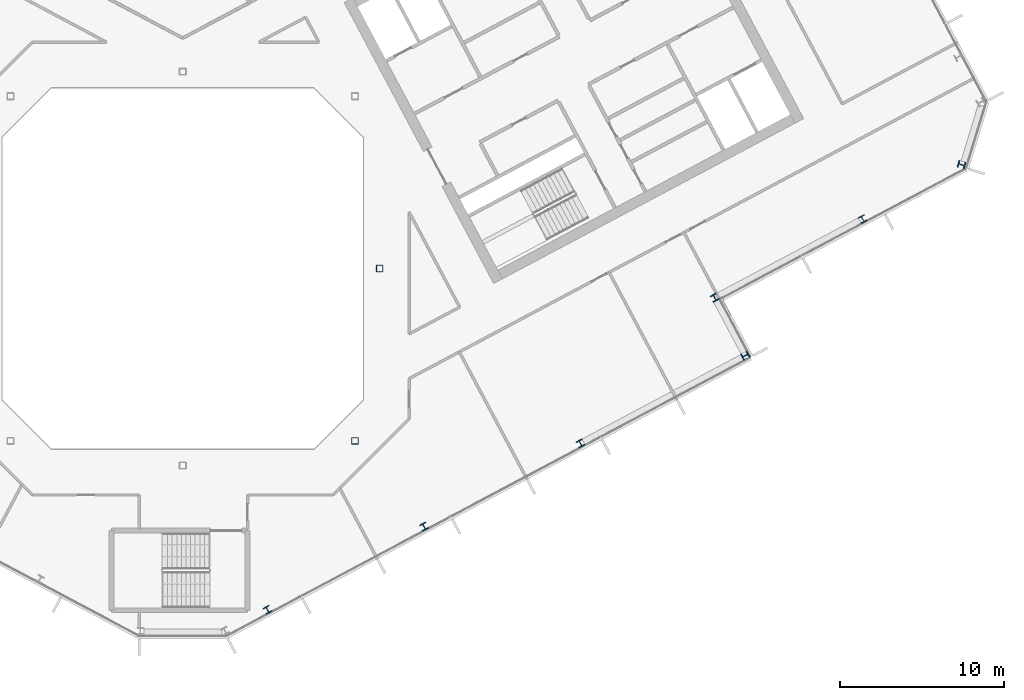
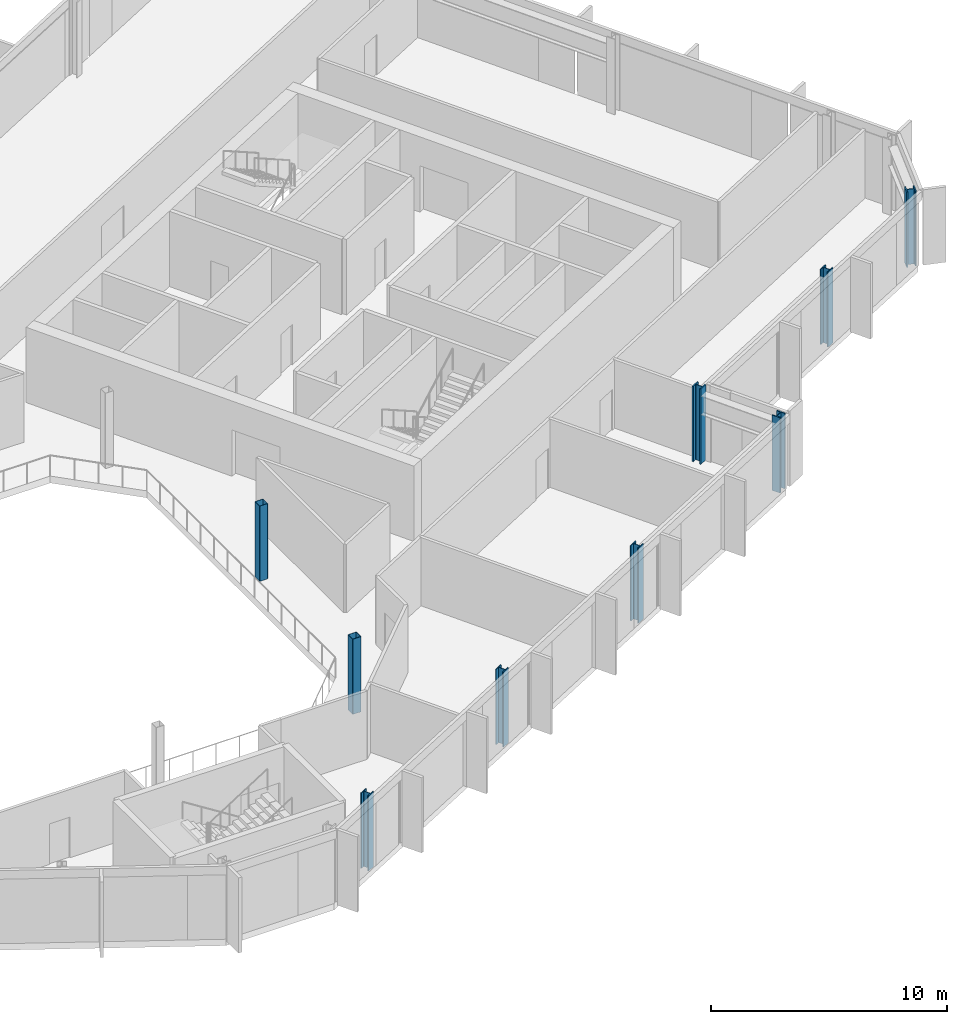
# One storey, part 5 of 27: 9 columns.
"""IFC4 building model written with IfcOpenShell, lengths in metres."""

import ifcopenshell
import ifcopenshell.guid

model = None  # the IFC model being written
_history = None  # IfcOwnerHistory: only IFC2X3 demands one
_inside = {}  # id of a spatial element -> (the spatial element, [elements in it])
_under = {}  # id of a project, library or spatial element -> (it, [spatial elements below it])
_declared = {}  # id of a project -> (the project, [libraries it declares])
_typed = {}  # id of a type object -> (the type object, [elements of that type])
_made_of = {}  # id of a material, layer set ... -> (it, [elements and type objects made of it])


def new_model(schema):
    """Start an empty IFC model of exactly this schema.

    Asked for "IFC4X3", IfcOpenShell would pick the latest addendum, in which some entities
    have other attributes; the version numbers below select the first issue.
    IFC2X3 requires an IfcOwnerHistory on every rooted entity: one is made here for all.
    """
    global model, _history
    if schema == "IFC4X3":
        model = ifcopenshell.file(schema_version=(4, 3, 0, 0))
    else:
        model = ifcopenshell.file(schema=schema)
    _inside.clear()
    _under.clear()
    _declared.clear()
    _typed.clear()
    _made_of.clear()
    _history = None
    if model.schema == "IFC2X3":
        org = make("IfcOrganization", Name="unknown")
        user = make(
            "IfcPersonAndOrganization",
            ThePerson=make("IfcPerson", FamilyName="unknown"),
            TheOrganization=org,
        )
        app = make(
            "IfcApplication",
            ApplicationDeveloper=org,
            Version="unknown",
            ApplicationFullName="unknown",
            ApplicationIdentifier="unknown",
        )
        _history = make(
            "IfcOwnerHistory",
            OwningUser=user,
            OwningApplication=app,
            ChangeAction="ADDED",
            CreationDate=0,
        )
    return model


def make(cls, **values):
    """One entity of the class cls with the attributes given. An attribute that is None is left unset."""
    return model.create_entity(
        cls, **{name: value for name, value in values.items() if value is not None}
    )


def rooted(cls, **values):
    """An entity with a GlobalId (a new one), such as an element, a storey or a relation."""
    return make(cls, GlobalId=ifcopenshell.guid.new(), OwnerHistory=_history, **values)


def si_unit(unit_type, name, prefix=None):
    """IfcSIUnit, for example si_unit("LENGTHUNIT", "METRE", prefix="MILLI")."""
    return make("IfcSIUnit", UnitType=unit_type, Prefix=prefix, Name=name)


def assignment(units):
    """IfcUnitAssignment: the units of a project."""
    return None if units is None else make("IfcUnitAssignment", Units=units)


def point(xyz):
    """IfcCartesianPoint."""
    return None if xyz is None else make("IfcCartesianPoint", Coordinates=xyz)


def direction(xyz):
    """IfcDirection."""
    return None if xyz is None else make("IfcDirection", DirectionRatios=xyz)


def frame(location, z_axis=None, x_axis=None):
    """IfcAxis2Placement3D, a coordinate frame: its origin and axes. An axis left out is left unset."""
    return make(
        "IfcAxis2Placement3D",
        Location=point(location),
        Axis=direction(z_axis),
        RefDirection=direction(x_axis),
    )


def frame_2d(location, x_axis=None):
    """IfcAxis2Placement2D, a coordinate frame in the plane: its origin and x axis."""
    return make(
        "IfcAxis2Placement2D", Location=point(location), RefDirection=direction(x_axis)
    )


def origin():
    """The frame at (0, 0, 0) with its axes left unset."""
    return frame((0.0, 0.0, 0.0))


def origin_2d():
    """The frame at (0, 0) in the plane with its x axis left unset."""
    return frame_2d((0.0, 0.0))


def place(relative_to, where):
    """IfcLocalPlacement: puts the frame where relative to a parent placement (None: the world)."""
    return make(
        "IfcLocalPlacement", PlacementRelTo=relative_to, RelativePlacement=where
    )


def context(
    kind, dimensions, precision=None, world=None, true_north=None, identifier=None
):
    """IfcGeometricRepresentationContext, for example the 3D "Model" context."""
    return make(
        "IfcGeometricRepresentationContext",
        ContextIdentifier=identifier,
        ContextType=kind,
        CoordinateSpaceDimension=dimensions,
        Precision=precision,
        WorldCoordinateSystem=world,
        TrueNorth=true_north,
    )


def subcontext(parent, identifier, kind, view, scale=None):
    """IfcGeometricRepresentationSubContext, for example "Body" below "Model"."""
    return make(
        "IfcGeometricRepresentationSubContext",
        ContextIdentifier=identifier,
        ContextType=kind,
        ParentContext=parent,
        TargetScale=scale,
        TargetView=view,
    )


def project(units=None, contexts=None):
    """IfcProject with its units and contexts."""
    return rooted(
        "IfcProject",
        Name="project",
        RepresentationContexts=contexts,
        UnitsInContext=assignment(units),
    )


def spatial(cls, under=None, at=None, **own):
    """A site, building, storey or space (cls), placed at a placement, below another one or the project."""
    s = rooted(cls, ObjectPlacement=at, **own)
    if under is not None:
        _under.setdefault(under.id(), (under, []))[1].append(s)
    return s


def profile(cls, at=None, kind="AREA", **sizes):
    """A parametric profile (cls). Its sizes go by their IFC names, for example OverallWidth=200.0."""
    return make(cls, ProfileType=kind, Position=at, **sizes)


def hollow_rectangle(**sizes):
    """IfcRectangleHollowProfileDef."""
    return profile("IfcRectangleHollowProfileDef", **sizes)


def i_section(**sizes):
    """IfcIShapeProfileDef."""
    return profile("IfcIShapeProfileDef", **sizes)


def extrude(swept, where, along, depth):
    """IfcExtrudedAreaSolid: the profile swept, set in the frame where, extruded along a direction by depth."""
    return make(
        "IfcExtrudedAreaSolid",
        SweptArea=swept,
        Position=where,
        ExtrudedDirection=direction(along),
        Depth=depth,
    )


def shape(context_of_items, identifier, shape_type, items):
    """IfcShapeRepresentation: the items that make up one representation, for example the "Body"."""
    return make(
        "IfcShapeRepresentation",
        ContextOfItems=context_of_items,
        RepresentationIdentifier=identifier,
        RepresentationType=shape_type,
        Items=items,
    )


def material(Name=None, Category=None):
    """IfcMaterial."""
    return make("IfcMaterial", Name=Name, Category=Category)


def material_profile(
    of_material, cross_section, Name=None, Category=None, Priority=None
):
    """IfcMaterialProfile: a cross section and its material."""
    return make(
        "IfcMaterialProfile",
        Name=Name,
        Material=of_material,
        Profile=cross_section,
        Priority=Priority,
        Category=Category,
    )


def profile_set(profiles, Name=None, composite=None):
    """IfcMaterialProfileSet."""
    return make(
        "IfcMaterialProfileSet",
        Name=Name,
        MaterialProfiles=profiles,
        CompositeProfile=composite,
    )


def made_of(thing, what):
    """Note that an element or type object is made of a material, layer set ...; save() writes the relation."""
    if what is not None:
        _made_of.setdefault(what.id(), (what, []))[1].append(thing)
    return thing


def type_object(cls, material=None, **own):
    """A type object (cls), such as IfcWallType, which elements share."""
    return made_of(rooted(cls, **own), material)


def element(
    cls,
    number,
    at=None,
    inside=None,
    cuts=None,
    type_object=None,
    material=None,
    context=None,
    identifier="Body",
    shape_type=None,
    held_by="IfcProductDefinitionShape",
    body=None,
    shapes=None,
    **own,
):
    """One element of the class cls, such as IfcWall. Its Tag is "e" and its number.

    at: its placement. inside: the storey or other place that contains it. cuts: it is an
    opening in that element (IfcRelVoidsElement). A single representation is given by context,
    identifier, shape_type and body (its items); several are given by shapes. held_by: the class
    of the entity that holds the representations. save() writes the other relations.
    """
    e = rooted(cls, Tag="e%d" % number, ObjectPlacement=at, **own)
    if body is not None:
        shapes = [shape(context, identifier, shape_type, body)]
    if shapes is not None:
        e.Representation = make(held_by, Representations=shapes)
    if inside is not None:
        _inside.setdefault(inside.id(), (inside, []))[1].append(e)
    if cuts is not None:
        rooted(
            "IfcRelVoidsElement", RelatingBuildingElement=cuts, RelatedOpeningElement=e
        )
    if type_object is not None:
        _typed.setdefault(type_object.id(), (type_object, []))[1].append(e)
    return made_of(e, material)


def aggregate(whole, parts):
    """IfcRelAggregates: a whole, such as a stair, and the parts it consists of."""
    return rooted("IfcRelAggregates", RelatingObject=whole, RelatedObjects=parts)


def save(model, path):
    """Write the relations noted so far, then the file.

    IfcRelAggregates (storeys below a building ...), IfcRelContainedInSpatialStructure (elements
    in a storey), IfcRelDefinesByType, IfcRelAssociatesMaterial and IfcRelDeclares: one each for
    every whole, place, type object, material and project.
    """
    for whole, parts in _under.values():
        aggregate(whole, parts)
    for where, things in _inside.values():
        rooted(
            "IfcRelContainedInSpatialStructure",
            RelatedElements=things,
            RelatingStructure=where,
        )
    for kind, things in _typed.values():
        rooted("IfcRelDefinesByType", RelatedObjects=things, RelatingType=kind)
    for what, things in _made_of.values():
        rooted("IfcRelAssociatesMaterial", RelatedObjects=things, RelatingMaterial=what)
    for by, libraries in _declared.values():
        rooted("IfcRelDeclares", RelatingContext=by, RelatedDefinitions=libraries)
    model.write(path)


model = new_model("IFC4")

# Units and contexts
model_context = context("Model", 3, precision=1e-05, world=origin(), true_north=direction((0.0, 1.0)))
body_context = subcontext(model_context, "Body", "Model", "MODEL_VIEW")
ifc_project = project(units=[si_unit("LENGTHUNIT", "METRE"), si_unit("AREAUNIT", "SQUARE_METRE"), si_unit("VOLUMEUNIT", "CUBIC_METRE"), si_unit("PLANEANGLEUNIT", "RADIAN"), si_unit("MASSUNIT", "GRAM", prefix="KILO")], contexts=[model_context])

# Site, building, storey
site_placement = place(None, origin())
site = spatial("IfcSite", under=ifc_project, at=site_placement, CompositionType="ELEMENT")
building_placement = place(site_placement, origin())
building = spatial("IfcBuilding", under=site, at=building_placement, Name="Cormorant Relay Tower", CompositionType="ELEMENT")
storey_placement = place(building_placement, frame((0.0, 0.0, 209.10009765625)))
storey = spatial("IfcBuildingStorey", under=building, at=storey_placement, Name="L45", CompositionType="ELEMENT", Elevation=209.10009765625)

# Columns
ifc_material_1 = material(Name="Steel ASTM A500 Grade C (Fy 345 MPa)", Category="steel")
ifc_material_profile_1 = material_profile(ifc_material_1, hollow_rectangle(XDim=0.406494140625, YDim=0.406494140625, WallThickness=0.0146484375, InnerFilletRadius=0.00732421875, OuterFilletRadius=0.022216796875, at=origin_2d()), Name="HSS406x406x15")
ifc_profile_set_1 = profile_set([ifc_material_profile_1], Name="Steel ASTM A500 Grade C (Fy 345 MPa)")
column_type_1 = type_object("IfcColumnType", Name="Column HSS406x406x15", PredefinedType="COLUMN", material=ifc_profile_set_1)
for number, where, z_axis, x_axis, name in (
    (1, (10.5, -10.5, 0.0), (0.0, 0.0, 1.0), (1.0, 0.0, 0.0), "Column L45-010"),
    (2, (12.0, 0.0, 0.0), (0.0, 0.0, 1.0), (1.0, 0.0, 0.0), "Column L45-016"),
):
    element("IfcColumn", number, at=place(storey_placement, frame(where, z_axis=z_axis, x_axis=x_axis)), inside=storey, type_object=column_type_1, Name=name, PredefinedType="COLUMN", context=body_context, shape_type="SweptSolid", body=[
        extrude(hollow_rectangle(XDim=0.406494140625, YDim=0.406494140625, WallThickness=0.0146484375, InnerFilletRadius=0.00732421875, OuterFilletRadius=0.022216796875, at=origin_2d()), origin(), (0.0, 0.0, 1.0), 3.89990234375),
    ])
ifc_material_2 = material(Name="Steel ASTM A992 (Fy 345 MPa)", Category="steel")
ifc_material_profile_2 = material_profile(ifc_material_2, i_section(OverallWidth=0.40380859375, OverallDepth=0.406494140625, WebThickness=0.027099609375, FlangeThickness=0.043701171875, FilletRadius=0.01513671875, at=origin_2d()), Name="W360x347")
ifc_profile_set_2 = profile_set([ifc_material_profile_2], Name="Steel ASTM A992 (Fy 345 MPa)")
column_type_2 = type_object("IfcColumnType", Name="Column W360x347", PredefinedType="COLUMN", material=ifc_profile_set_2)
for number, where, z_axis, x_axis, name in (
    (3, (5.1689453125, -20.798095703125, 0.0), (0.0, 0.0, 1.0), (0.882947592859, 0.469471562786, 0.0), "Column L45-003"),
    (4, (14.705078125, -15.72705078125, 0.0), (0.0, 0.0, 1.0), (0.882947592859, 0.469471562786, 0.0), "Column L45-005"),
    (5, (24.240966796875, -10.656982421875, 0.0), (0.0, 0.0, 1.0), (0.882947592859, 0.469471562786, 0.0), "Column L45-008"),
    (6, (41.43408203125, 3.014892578125, 0.0), (0.0, 0.0, 1.0), (0.882947592859, 0.469471562786, 0.0), "Column L45-019"),
):
    element("IfcColumn", number, at=place(storey_placement, frame(where, z_axis=z_axis, x_axis=x_axis)), inside=storey, type_object=column_type_2, Name=name, PredefinedType="COLUMN", context=body_context, shape_type="SweptSolid", body=[
        extrude(i_section(OverallWidth=0.40380859375, OverallDepth=0.406494140625, WebThickness=0.027099609375, FlangeThickness=0.043701171875, FilletRadius=0.01513671875, at=origin_2d()), origin(), (0.0, 0.0, 1.0), 3.89990234375),
    ])
ifc_material_3 = material(Name="Steel ASTM A992 (Fy 345 MPa)", Category="steel")
ifc_material_profile_3 = material_profile(ifc_material_3, i_section(OverallWidth=0.41162109375, OverallDepth=0.434326171875, WebThickness=0.035888671875, FlangeThickness=0.057373046875, FilletRadius=0.01513671875, at=origin_2d()), Name="W360x463")
ifc_profile_set_3 = profile_set([ifc_material_profile_3], Name="Steel ASTM A992 (Fy 345 MPa)")
column_type_3 = type_object("IfcColumnType", Name="Column W360x463", PredefinedType="COLUMN", material=ifc_profile_set_3)
for number, where, z_axis, x_axis, name in (
    (7, (34.284912109375, -5.305908203125, 0.0), (0.0, 0.0, 1.0), (-0.469471562786, 0.882947592859, 0.0), "Column L45-012"),
    (8, (32.4169921875, -1.777099609375, 0.0), (0.0, 0.0, 1.0), (0.882947592859, 0.469471562786, 0.0), "Column L45-014"),
    (9, (47.458984375, 6.325927734375, 0.0), (0.0, 0.0, 1.0), (0.292371704723, 0.956304755963, 0.0), "Column L45-020"),
):
    element("IfcColumn", number, at=place(storey_placement, frame(where, z_axis=z_axis, x_axis=x_axis)), inside=storey, type_object=column_type_3, Name=name, PredefinedType="COLUMN", context=body_context, shape_type="SweptSolid", body=[
        extrude(i_section(OverallWidth=0.41162109375, OverallDepth=0.434326171875, WebThickness=0.035888671875, FlangeThickness=0.057373046875, FilletRadius=0.01513671875, at=origin_2d()), origin(), (0.0, 0.0, 1.0), 3.89990234375),
    ])

save(model, "model.ifc")
